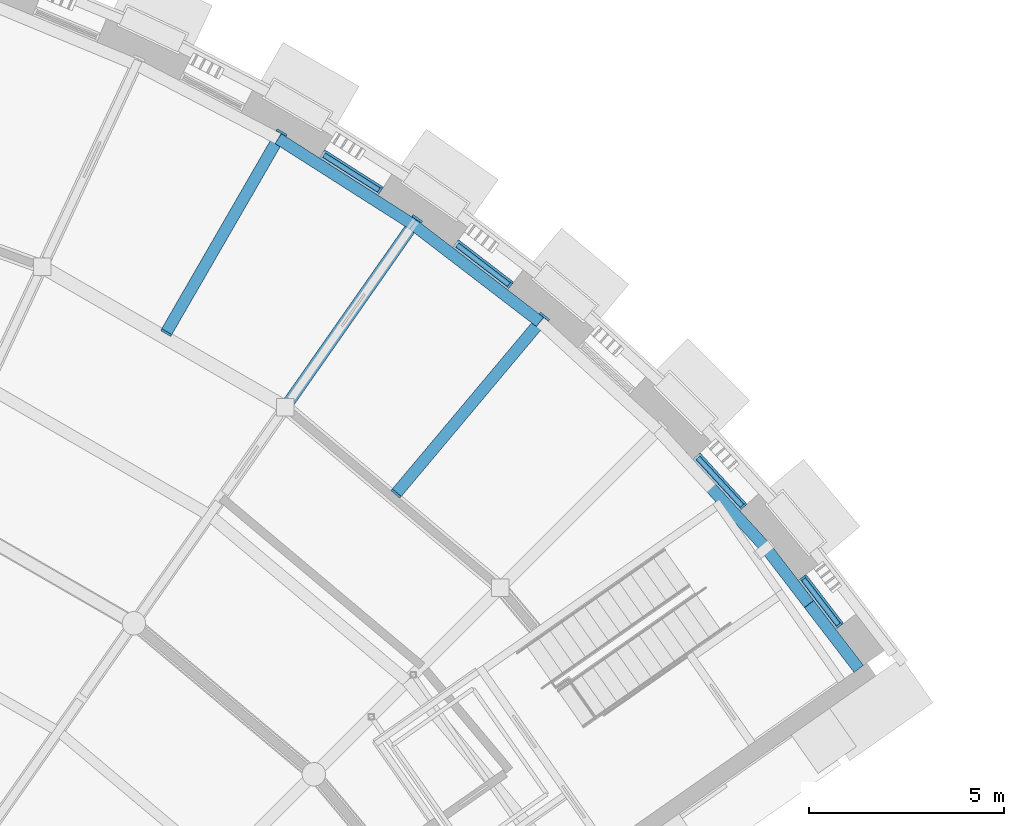
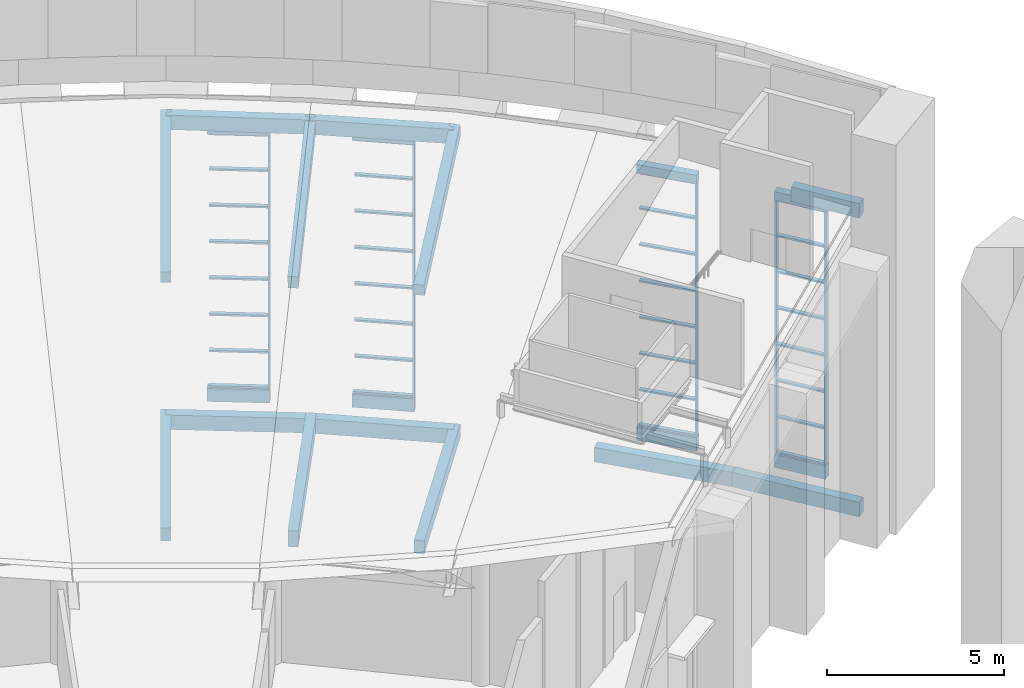
# One storey, part 30 of 82: 37 members, 21 beams, 4 elements without a shape of their own.
"""IFC4 building model written with IfcOpenShell, lengths in metres."""

from ifc_helpers import new_model, si_unit, direction, frame, origin, origin_2d, place, context, subcontext, project, spatial, rectangle, extrude, material, layer, layer_set, material_profile, profile_set, type_object, element, aggregate, save


model = new_model("IFC4")

# Units and contexts
model_context = context("Model", 3, precision=1e-05, world=origin(), true_north=direction((0.0, 1.0)))
body_context = subcontext(model_context, "Body", "Model", "MODEL_VIEW")
ifc_project = project(units=[si_unit("LENGTHUNIT", "METRE"), si_unit("AREAUNIT", "SQUARE_METRE"), si_unit("VOLUMEUNIT", "CUBIC_METRE"), si_unit("PLANEANGLEUNIT", "RADIAN"), si_unit("MASSUNIT", "GRAM", prefix="KILO")], contexts=[model_context])

# Site, building, storey
site_placement = place(None, origin())
site = spatial("IfcSite", under=ifc_project, at=site_placement, CompositionType="ELEMENT")
building_placement = place(site_placement, origin())
building = spatial("IfcBuilding", under=site, at=building_placement, Name="Volute Hill Aquarium", CompositionType="ELEMENT")
storey_placement = place(building_placement, frame((0.0, 0.0, 13.800048828125)))
storey = spatial("IfcBuildingStorey", under=building, at=storey_placement, Name="L04", CompositionType="ELEMENT", Elevation=13.800048828125)

# Beam
ifc_material_1 = material(Name="Concrete C35/45", Category="concrete")
ifc_material_profile_1 = material_profile(ifc_material_1, rectangle(XDim=0.300048828125, YDim=0.550048828125, at=origin_2d()), Name="RC beam 300x550")
ifc_profile_set_1 = profile_set([ifc_material_profile_1], Name="Concrete C35/45")
beam_type_1 = type_object("IfcBeamType", Name="Beam 300x550 C35/45", PredefinedType="BEAM", material=ifc_profile_set_1)
beam_1_placement = place(storey_placement, frame((23.681396484375, 33.82080078125, -0.56494140625), z_axis=(0.573602080408, 0.819134087529, 0.0), x_axis=(-0.819134087529, 0.573602080408, 0.0)))
element("IfcBeam", 1, at=beam_1_placement, inside=storey, type_object=beam_type_1, Name="bm/S5/L04/rad2.8", PredefinedType="BEAM", context=body_context, shape_type="SweptSolid", body=[
    extrude(rectangle(XDim=0.300048828125, YDim=0.550048828125, at=origin_2d()), origin(), (0.0, 0.0, 1.0), 5.862548828125),
])

# Curtain wall, members
ifc_material_2 = material(Name="Aluminium", Category="aluminium")
ifc_layer_1 = layer(ifc_material_2, 0.25)
ifc_layer_set_1 = layer_set([ifc_layer_1], Name="Curtain wall niche S5 module 1585")
curtain_wall_type_1 = type_object("IfcCurtainWallType", Name="Curtain wall niche S5 module 1585", PredefinedType="NOTDEFINED", material=ifc_layer_set_1)
curtain_wall_1_placement = place(storey_placement, origin())
curtain_wall_1 = element("IfcCurtainWall", 2, at=curtain_wall_1_placement, inside=storey, type_object=curtain_wall_type_1, Name="Curtain wall CW S5 L04 1", PredefinedType="NOTDEFINED")
ifc_material_3 = material(Name="Aluminium", Category="aluminium")
ifc_material_profile_2 = material_profile(ifc_material_3, rectangle(XDim=0.159912109375, YDim=0.06005859375, at=origin_2d()), Name="Curtain wall mullion S5 60x160")
ifc_profile_set_2 = profile_set([ifc_material_profile_2], Name="Aluminium")
member_type_1 = type_object("IfcMemberType", Name="Curtain wall mullion S5 60x160", PredefinedType="MULLION", material=ifc_profile_set_2)
member_1_placement = place(storey_placement, frame((37.873046875, 28.225830078125, 0.449951171875), z_axis=(0.0, 0.0, 1.0), x_axis=(-0.793360616468, -0.608751946393, 0.0)))
member_1 = element("IfcMember", 3, at=member_1_placement, type_object=member_type_1, Name="CW mullion 1", PredefinedType="MULLION", context=body_context, shape_type="SweptSolid", body=[
    extrude(rectangle(XDim=0.159912109375, YDim=0.06005859375, at=origin_2d()), origin(), (0.0, 0.0, 1.0), 8.7783203125),
])
member_2_placement = place(storey_placement, frame((36.944580078125, 29.43603515625, 0.449951171875), z_axis=(0.0, 0.0, 1.0), x_axis=(-0.793360616468, -0.608751946393, 0.0)))
member_2 = element("IfcMember", 4, at=member_2_placement, type_object=member_type_1, Name="CW mullion 2", PredefinedType="MULLION", context=body_context, shape_type="SweptSolid", body=[
    extrude(rectangle(XDim=0.159912109375, YDim=0.06005859375, at=origin_2d()), origin(), (0.0, 0.0, 1.0), 8.7783203125),
])

# Curtain wall, member
ifc_material_4 = material(Name="Aluminium", Category="aluminium")
ifc_layer_2 = layer(ifc_material_4, 0.25)
ifc_layer_set_2 = layer_set([ifc_layer_2], Name="Curtain wall niche S5 module 1786")
curtain_wall_type_2 = type_object("IfcCurtainWallType", Name="Curtain wall niche S5 module 1786", PredefinedType="NOTDEFINED", material=ifc_layer_set_2)
curtain_wall_2_placement = place(storey_placement, origin())
curtain_wall_2 = element("IfcCurtainWall", 5, at=curtain_wall_2_placement, inside=storey, type_object=curtain_wall_type_2, Name="Curtain wall CW S5 L04 2", PredefinedType="NOTDEFINED")
member_3_placement = place(storey_placement, frame((35.404296875, 31.271728515625, 0.449951171875), z_axis=(0.0, 0.0, 1.0), x_axis=(-0.737282446313, -0.675584631529, 0.0)))
member_3 = element("IfcMember", 6, at=member_3_placement, type_object=member_type_1, Name="CW mullion 1", PredefinedType="MULLION", context=body_context, shape_type="SweptSolid", body=[
    extrude(rectangle(XDim=0.159912109375, YDim=0.06005859375, at=origin_2d()), origin(), (0.0, 0.0, 1.0), 8.77587890625),
])

curtain_wall_3_placement = place(storey_placement, origin())
curtain_wall_3 = element("IfcCurtainWall", 7, at=curtain_wall_3_placement, inside=storey, type_object=curtain_wall_type_2, Name="Curtain wall CW S5 L04 4", PredefinedType="NOTDEFINED")
member_4_placement = place(storey_placement, frame((29.43603515625, 36.944580078125, 0.449951171875), z_axis=(0.0, 0.0, 1.0), x_axis=(-0.608754932261, -0.793358325379, 0.0)))
member_4 = element("IfcMember", 8, at=member_4_placement, type_object=member_type_1, Name="CW mullion 1", PredefinedType="MULLION", context=body_context, shape_type="SweptSolid", body=[
    extrude(rectangle(XDim=0.159912109375, YDim=0.06005859375, at=origin_2d()), origin(), (0.0, 0.0, 1.0), 8.77587890625),
])

curtain_wall_4_placement = place(storey_placement, origin())
curtain_wall_4 = element("IfcCurtainWall", 9, at=curtain_wall_4_placement, inside=storey, type_object=curtain_wall_type_2, Name="Curtain wall CW S5 L04 5", PredefinedType="NOTDEFINED")
member_5_placement = place(storey_placement, frame((26.10400390625, 39.36962890625, 0.449951171875), z_axis=(0.0, 0.0, 1.0), x_axis=(-0.537309538629, -0.843385119444, 0.0)))
member_5 = element("IfcMember", 10, at=member_5_placement, type_object=member_type_1, Name="CW mullion 1", PredefinedType="MULLION", context=body_context, shape_type="SweptSolid", body=[
    extrude(rectangle(XDim=0.159912109375, YDim=0.06005859375, at=origin_2d()), origin(), (0.0, 0.0, 1.0), 8.77587890625),
])

# Member
ifc_material_5 = material(Name="Aluminium", Category="aluminium")
ifc_material_profile_3 = material_profile(ifc_material_5, rectangle(XDim=0.1298828125, YDim=0.06005859375, at=origin_2d()), Name="Curtain wall transom S5 60x130")
ifc_profile_set_3 = profile_set([ifc_material_profile_3], Name="Aluminium")
member_type_2 = type_object("IfcMemberType", Name="Curtain wall transom S5 60x130", PredefinedType="USERDEFINED", material=ifc_profile_set_3)
member_6_placement = place(storey_placement, frame((37.85498046875, 28.249755859375, 0.47998046875), z_axis=(-0.608760263302, 0.793354234768, 0.0), x_axis=(-0.793354234768, -0.608760263302, 0.0)))
member_6 = element("IfcMember", 11, at=member_6_placement, type_object=member_type_2, Name="CW transom 1.1", ObjectType="TRANSOM", PredefinedType="USERDEFINED", context=body_context, shape_type="SweptSolid", body=[
    extrude(rectangle(XDim=0.1298828125, YDim=0.06005859375, at=origin_2d()), origin(), (0.0, 0.0, 1.0), 1.46533203125),
])

member_7_placement = place(storey_placement, frame((37.85498046875, 28.249755859375, 1.7041015625), z_axis=(-0.608760263302, 0.793354234768, 0.0), x_axis=(-0.793354234768, -0.608760263302, 0.0)))
member_7 = element("IfcMember", 12, at=member_7_placement, type_object=member_type_2, Name="CW transom 1.2", ObjectType="TRANSOM", PredefinedType="USERDEFINED", context=body_context, shape_type="SweptSolid", body=[
    extrude(rectangle(XDim=0.1298828125, YDim=0.06005859375, at=origin_2d()), origin(), (0.0, 0.0, 1.0), 1.46533203125),
])

member_8_placement = place(storey_placement, frame((37.85498046875, 28.249755859375, 2.9580078125), z_axis=(-0.608760263302, 0.793354234768, 0.0), x_axis=(-0.793354234768, -0.608760263302, 0.0)))
member_8 = element("IfcMember", 13, at=member_8_placement, type_object=member_type_2, Name="CW transom 1.3", ObjectType="TRANSOM", PredefinedType="USERDEFINED", context=body_context, shape_type="SweptSolid", body=[
    extrude(rectangle(XDim=0.1298828125, YDim=0.06005859375, at=origin_2d()), origin(), (0.0, 0.0, 1.0), 1.46533203125),
])

member_9_placement = place(storey_placement, frame((37.85498046875, 28.249755859375, 4.212158203125), z_axis=(-0.608760263302, 0.793354234768, 0.0), x_axis=(-0.793354234768, -0.608760263302, 0.0)))
member_9 = element("IfcMember", 14, at=member_9_placement, type_object=member_type_2, Name="CW transom 1.4", ObjectType="TRANSOM", PredefinedType="USERDEFINED", context=body_context, shape_type="SweptSolid", body=[
    extrude(rectangle(XDim=0.1298828125, YDim=0.06005859375, at=origin_2d()), origin(), (0.0, 0.0, 1.0), 1.46533203125),
])

member_10_placement = place(storey_placement, frame((37.85498046875, 28.249755859375, 5.466064453125), z_axis=(-0.608760263302, 0.793354234768, 0.0), x_axis=(-0.793354234768, -0.608760263302, 0.0)))
member_10 = element("IfcMember", 15, at=member_10_placement, type_object=member_type_2, Name="CW transom 1.5", ObjectType="TRANSOM", PredefinedType="USERDEFINED", context=body_context, shape_type="SweptSolid", body=[
    extrude(rectangle(XDim=0.1298828125, YDim=0.06005859375, at=origin_2d()), origin(), (0.0, 0.0, 1.0), 1.46533203125),
])

member_11_placement = place(storey_placement, frame((37.85498046875, 28.249755859375, 6.72021484375), z_axis=(-0.608760263302, 0.793354234768, 0.0), x_axis=(-0.793354234768, -0.608760263302, 0.0)))
member_11 = element("IfcMember", 16, at=member_11_placement, type_object=member_type_2, Name="CW transom 1.6", ObjectType="TRANSOM", PredefinedType="USERDEFINED", context=body_context, shape_type="SweptSolid", body=[
    extrude(rectangle(XDim=0.1298828125, YDim=0.06005859375, at=origin_2d()), origin(), (0.0, 0.0, 1.0), 1.46533203125),
])

member_12_placement = place(storey_placement, frame((37.85498046875, 28.249755859375, 7.97412109375), z_axis=(-0.608760263302, 0.793354234768, 0.0), x_axis=(-0.793354234768, -0.608760263302, 0.0)))
member_12 = element("IfcMember", 17, at=member_12_placement, type_object=member_type_2, Name="CW transom 1.7", ObjectType="TRANSOM", PredefinedType="USERDEFINED", context=body_context, shape_type="SweptSolid", body=[
    extrude(rectangle(XDim=0.1298828125, YDim=0.06005859375, at=origin_2d()), origin(), (0.0, 0.0, 1.0), 1.46533203125),
])

member_13_placement = place(storey_placement, frame((37.85498046875, 28.249755859375, 9.1982421875), z_axis=(-0.608760263302, 0.793354234768, 0.0), x_axis=(-0.793354234768, -0.608760263302, 0.0)))
member_13 = element("IfcMember", 18, at=member_13_placement, type_object=member_type_2, Name="CW transom 1.8", ObjectType="TRANSOM", PredefinedType="USERDEFINED", context=body_context, shape_type="SweptSolid", body=[
    extrude(rectangle(XDim=0.1298828125, YDim=0.06005859375, at=origin_2d()), origin(), (0.0, 0.0, 1.0), 1.46533203125),
])

aggregate(curtain_wall_1, [member_1, member_2, member_6, member_7, member_8, member_9, member_10, member_11, member_12, member_13])

member_14_placement = place(storey_placement, frame((35.384033203125, 31.2939453125, 0.47998046875), z_axis=(-0.675578590257, 0.73728798199, 0.0), x_axis=(-0.73728798199, -0.675578590257, 0.0)))
member_14 = element("IfcMember", 19, at=member_14_placement, type_object=member_type_2, Name="CW transom 1.1", ObjectType="TRANSOM", PredefinedType="USERDEFINED", context=body_context, shape_type="SweptSolid", body=[
    extrude(rectangle(XDim=0.1298828125, YDim=0.06005859375, at=origin_2d()), origin(), (0.0, 0.0, 1.0), 1.66552734375),
])

member_15_placement = place(storey_placement, frame((35.384033203125, 31.2939453125, 1.70361328125), z_axis=(-0.675578590257, 0.73728798199, 0.0), x_axis=(-0.73728798199, -0.675578590257, 0.0)))
member_15 = element("IfcMember", 20, at=member_15_placement, type_object=member_type_2, Name="CW transom 1.2", ObjectType="TRANSOM", PredefinedType="USERDEFINED", context=body_context, shape_type="SweptSolid", body=[
    extrude(rectangle(XDim=0.1298828125, YDim=0.06005859375, at=origin_2d()), origin(), (0.0, 0.0, 1.0), 1.66552734375),
])

member_16_placement = place(storey_placement, frame((35.384033203125, 31.2939453125, 2.957275390625), z_axis=(-0.675578590257, 0.73728798199, 0.0), x_axis=(-0.73728798199, -0.675578590257, 0.0)))
member_16 = element("IfcMember", 21, at=member_16_placement, type_object=member_type_2, Name="CW transom 1.3", ObjectType="TRANSOM", PredefinedType="USERDEFINED", context=body_context, shape_type="SweptSolid", body=[
    extrude(rectangle(XDim=0.1298828125, YDim=0.06005859375, at=origin_2d()), origin(), (0.0, 0.0, 1.0), 1.66552734375),
])

member_17_placement = place(storey_placement, frame((35.384033203125, 31.2939453125, 4.2109375), z_axis=(-0.675578590257, 0.73728798199, 0.0), x_axis=(-0.73728798199, -0.675578590257, 0.0)))
member_17 = element("IfcMember", 22, at=member_17_placement, type_object=member_type_2, Name="CW transom 1.4", ObjectType="TRANSOM", PredefinedType="USERDEFINED", context=body_context, shape_type="SweptSolid", body=[
    extrude(rectangle(XDim=0.1298828125, YDim=0.06005859375, at=origin_2d()), origin(), (0.0, 0.0, 1.0), 1.66552734375),
])

member_18_placement = place(storey_placement, frame((35.384033203125, 31.2939453125, 5.46484375), z_axis=(-0.675578590257, 0.73728798199, 0.0), x_axis=(-0.73728798199, -0.675578590257, 0.0)))
member_18 = element("IfcMember", 23, at=member_18_placement, type_object=member_type_2, Name="CW transom 1.5", ObjectType="TRANSOM", PredefinedType="USERDEFINED", context=body_context, shape_type="SweptSolid", body=[
    extrude(rectangle(XDim=0.1298828125, YDim=0.06005859375, at=origin_2d()), origin(), (0.0, 0.0, 1.0), 1.66552734375),
])

member_19_placement = place(storey_placement, frame((35.384033203125, 31.2939453125, 6.718505859375), z_axis=(-0.675578590257, 0.73728798199, 0.0), x_axis=(-0.73728798199, -0.675578590257, 0.0)))
member_19 = element("IfcMember", 24, at=member_19_placement, type_object=member_type_2, Name="CW transom 1.6", ObjectType="TRANSOM", PredefinedType="USERDEFINED", context=body_context, shape_type="SweptSolid", body=[
    extrude(rectangle(XDim=0.1298828125, YDim=0.06005859375, at=origin_2d()), origin(), (0.0, 0.0, 1.0), 1.66552734375),
])

member_20_placement = place(storey_placement, frame((35.384033203125, 31.2939453125, 7.97216796875), z_axis=(-0.675578590257, 0.73728798199, 0.0), x_axis=(-0.73728798199, -0.675578590257, 0.0)))
member_20 = element("IfcMember", 25, at=member_20_placement, type_object=member_type_2, Name="CW transom 1.7", ObjectType="TRANSOM", PredefinedType="USERDEFINED", context=body_context, shape_type="SweptSolid", body=[
    extrude(rectangle(XDim=0.1298828125, YDim=0.06005859375, at=origin_2d()), origin(), (0.0, 0.0, 1.0), 1.66552734375),
])

member_21_placement = place(storey_placement, frame((35.384033203125, 31.2939453125, 9.19580078125), z_axis=(-0.675578590257, 0.73728798199, 0.0), x_axis=(-0.73728798199, -0.675578590257, 0.0)))
member_21 = element("IfcMember", 26, at=member_21_placement, type_object=member_type_2, Name="CW transom 1.8", ObjectType="TRANSOM", PredefinedType="USERDEFINED", context=body_context, shape_type="SweptSolid", body=[
    extrude(rectangle(XDim=0.1298828125, YDim=0.06005859375, at=origin_2d()), origin(), (0.0, 0.0, 1.0), 1.66552734375),
])

aggregate(curtain_wall_2, [member_3, member_14, member_15, member_16, member_17, member_18, member_19, member_20, member_21])

member_22_placement = place(storey_placement, frame((29.412353515625, 36.962890625, 0.47998046875), z_axis=(-0.793391634362, 0.608711519953, 0.0), x_axis=(-0.608711519953, -0.793391634362, 0.0)))
member_22 = element("IfcMember", 27, at=member_22_placement, type_object=member_type_2, Name="CW transom 1.1", ObjectType="TRANSOM", PredefinedType="USERDEFINED", context=body_context, shape_type="SweptSolid", body=[
    extrude(rectangle(XDim=0.1298828125, YDim=0.06005859375, at=origin_2d()), origin(), (0.0, 0.0, 1.0), 1.665771484375),
])

member_23_placement = place(storey_placement, frame((29.412353515625, 36.962890625, 1.70361328125), z_axis=(-0.793391634362, 0.608711519953, 0.0), x_axis=(-0.608711519953, -0.793391634362, 0.0)))
member_23 = element("IfcMember", 28, at=member_23_placement, type_object=member_type_2, Name="CW transom 1.2", ObjectType="TRANSOM", PredefinedType="USERDEFINED", context=body_context, shape_type="SweptSolid", body=[
    extrude(rectangle(XDim=0.1298828125, YDim=0.06005859375, at=origin_2d()), origin(), (0.0, 0.0, 1.0), 1.665771484375),
])

member_24_placement = place(storey_placement, frame((29.412353515625, 36.962890625, 2.957275390625), z_axis=(-0.793391634362, 0.608711519953, 0.0), x_axis=(-0.608711519953, -0.793391634362, 0.0)))
member_24 = element("IfcMember", 29, at=member_24_placement, type_object=member_type_2, Name="CW transom 1.3", ObjectType="TRANSOM", PredefinedType="USERDEFINED", context=body_context, shape_type="SweptSolid", body=[
    extrude(rectangle(XDim=0.1298828125, YDim=0.06005859375, at=origin_2d()), origin(), (0.0, 0.0, 1.0), 1.665771484375),
])

member_25_placement = place(storey_placement, frame((29.412353515625, 36.962890625, 4.2109375), z_axis=(-0.793391634362, 0.608711519953, 0.0), x_axis=(-0.608711519953, -0.793391634362, 0.0)))
member_25 = element("IfcMember", 30, at=member_25_placement, type_object=member_type_2, Name="CW transom 1.4", ObjectType="TRANSOM", PredefinedType="USERDEFINED", context=body_context, shape_type="SweptSolid", body=[
    extrude(rectangle(XDim=0.1298828125, YDim=0.06005859375, at=origin_2d()), origin(), (0.0, 0.0, 1.0), 1.665771484375),
])

member_26_placement = place(storey_placement, frame((29.412353515625, 36.962890625, 5.46484375), z_axis=(-0.793391634362, 0.608711519953, 0.0), x_axis=(-0.608711519953, -0.793391634362, 0.0)))
member_26 = element("IfcMember", 31, at=member_26_placement, type_object=member_type_2, Name="CW transom 1.5", ObjectType="TRANSOM", PredefinedType="USERDEFINED", context=body_context, shape_type="SweptSolid", body=[
    extrude(rectangle(XDim=0.1298828125, YDim=0.06005859375, at=origin_2d()), origin(), (0.0, 0.0, 1.0), 1.665771484375),
])

member_27_placement = place(storey_placement, frame((29.412353515625, 36.962890625, 6.718505859375), z_axis=(-0.793391634362, 0.608711519953, 0.0), x_axis=(-0.608711519953, -0.793391634362, 0.0)))
member_27 = element("IfcMember", 32, at=member_27_placement, type_object=member_type_2, Name="CW transom 1.6", ObjectType="TRANSOM", PredefinedType="USERDEFINED", context=body_context, shape_type="SweptSolid", body=[
    extrude(rectangle(XDim=0.1298828125, YDim=0.06005859375, at=origin_2d()), origin(), (0.0, 0.0, 1.0), 1.665771484375),
])

member_28_placement = place(storey_placement, frame((29.412353515625, 36.962890625, 7.97216796875), z_axis=(-0.793391634362, 0.608711519953, 0.0), x_axis=(-0.608711519953, -0.793391634362, 0.0)))
member_28 = element("IfcMember", 33, at=member_28_placement, type_object=member_type_2, Name="CW transom 1.7", ObjectType="TRANSOM", PredefinedType="USERDEFINED", context=body_context, shape_type="SweptSolid", body=[
    extrude(rectangle(XDim=0.1298828125, YDim=0.06005859375, at=origin_2d()), origin(), (0.0, 0.0, 1.0), 1.665771484375),
])

member_29_placement = place(storey_placement, frame((29.412353515625, 36.962890625, 9.19580078125), z_axis=(-0.793391634362, 0.608711519953, 0.0), x_axis=(-0.608711519953, -0.793391634362, 0.0)))
member_29 = element("IfcMember", 34, at=member_29_placement, type_object=member_type_2, Name="CW transom 1.8", ObjectType="TRANSOM", PredefinedType="USERDEFINED", context=body_context, shape_type="SweptSolid", body=[
    extrude(rectangle(XDim=0.1298828125, YDim=0.06005859375, at=origin_2d()), origin(), (0.0, 0.0, 1.0), 1.665771484375),
])

aggregate(curtain_wall_3, [member_4, member_22, member_23, member_24, member_25, member_26, member_27, member_28, member_29])

member_30_placement = place(storey_placement, frame((26.078857421875, 39.3857421875, 0.47998046875), z_axis=(-0.843438091361, 0.537226382488, 0.0), x_axis=(-0.537226382488, -0.843438091361, 0.0)))
member_30 = element("IfcMember", 35, at=member_30_placement, type_object=member_type_2, Name="CW transom 1.1", ObjectType="TRANSOM", PredefinedType="USERDEFINED", context=body_context, shape_type="SweptSolid", body=[
    extrude(rectangle(XDim=0.1298828125, YDim=0.06005859375, at=origin_2d()), origin(), (0.0, 0.0, 1.0), 1.66552734375),
])

member_31_placement = place(storey_placement, frame((26.078857421875, 39.3857421875, 1.70361328125), z_axis=(-0.843438091361, 0.537226382488, 0.0), x_axis=(-0.537226382488, -0.843438091361, 0.0)))
member_31 = element("IfcMember", 36, at=member_31_placement, type_object=member_type_2, Name="CW transom 1.2", ObjectType="TRANSOM", PredefinedType="USERDEFINED", context=body_context, shape_type="SweptSolid", body=[
    extrude(rectangle(XDim=0.1298828125, YDim=0.06005859375, at=origin_2d()), origin(), (0.0, 0.0, 1.0), 1.66552734375),
])

member_32_placement = place(storey_placement, frame((26.078857421875, 39.3857421875, 2.957275390625), z_axis=(-0.843438091361, 0.537226382488, 0.0), x_axis=(-0.537226382488, -0.843438091361, 0.0)))
member_32 = element("IfcMember", 37, at=member_32_placement, type_object=member_type_2, Name="CW transom 1.3", ObjectType="TRANSOM", PredefinedType="USERDEFINED", context=body_context, shape_type="SweptSolid", body=[
    extrude(rectangle(XDim=0.1298828125, YDim=0.06005859375, at=origin_2d()), origin(), (0.0, 0.0, 1.0), 1.66552734375),
])

member_33_placement = place(storey_placement, frame((26.078857421875, 39.3857421875, 4.2109375), z_axis=(-0.843438091361, 0.537226382488, 0.0), x_axis=(-0.537226382488, -0.843438091361, 0.0)))
member_33 = element("IfcMember", 38, at=member_33_placement, type_object=member_type_2, Name="CW transom 1.4", ObjectType="TRANSOM", PredefinedType="USERDEFINED", context=body_context, shape_type="SweptSolid", body=[
    extrude(rectangle(XDim=0.1298828125, YDim=0.06005859375, at=origin_2d()), origin(), (0.0, 0.0, 1.0), 1.66552734375),
])

member_34_placement = place(storey_placement, frame((26.078857421875, 39.3857421875, 5.46484375), z_axis=(-0.843438091361, 0.537226382488, 0.0), x_axis=(-0.537226382488, -0.843438091361, 0.0)))
member_34 = element("IfcMember", 39, at=member_34_placement, type_object=member_type_2, Name="CW transom 1.5", ObjectType="TRANSOM", PredefinedType="USERDEFINED", context=body_context, shape_type="SweptSolid", body=[
    extrude(rectangle(XDim=0.1298828125, YDim=0.06005859375, at=origin_2d()), origin(), (0.0, 0.0, 1.0), 1.66552734375),
])

member_35_placement = place(storey_placement, frame((26.078857421875, 39.3857421875, 6.718505859375), z_axis=(-0.843438091361, 0.537226382488, 0.0), x_axis=(-0.537226382488, -0.843438091361, 0.0)))
member_35 = element("IfcMember", 40, at=member_35_placement, type_object=member_type_2, Name="CW transom 1.6", ObjectType="TRANSOM", PredefinedType="USERDEFINED", context=body_context, shape_type="SweptSolid", body=[
    extrude(rectangle(XDim=0.1298828125, YDim=0.06005859375, at=origin_2d()), origin(), (0.0, 0.0, 1.0), 1.66552734375),
])

member_36_placement = place(storey_placement, frame((26.078857421875, 39.3857421875, 7.97216796875), z_axis=(-0.843438091361, 0.537226382488, 0.0), x_axis=(-0.537226382488, -0.843438091361, 0.0)))
member_36 = element("IfcMember", 41, at=member_36_placement, type_object=member_type_2, Name="CW transom 1.7", ObjectType="TRANSOM", PredefinedType="USERDEFINED", context=body_context, shape_type="SweptSolid", body=[
    extrude(rectangle(XDim=0.1298828125, YDim=0.06005859375, at=origin_2d()), origin(), (0.0, 0.0, 1.0), 1.66552734375),
])

member_37_placement = place(storey_placement, frame((26.078857421875, 39.3857421875, 9.19580078125), z_axis=(-0.843438091361, 0.537226382488, 0.0), x_axis=(-0.537226382488, -0.843438091361, 0.0)))
member_37 = element("IfcMember", 42, at=member_37_placement, type_object=member_type_2, Name="CW transom 1.8", ObjectType="TRANSOM", PredefinedType="USERDEFINED", context=body_context, shape_type="SweptSolid", body=[
    extrude(rectangle(XDim=0.1298828125, YDim=0.06005859375, at=origin_2d()), origin(), (0.0, 0.0, 1.0), 1.66552734375),
])

aggregate(curtain_wall_4, [member_5, member_30, member_31, member_32, member_33, member_34, member_35, member_36, member_37])

# Beams
ifc_material_6 = material(Name="Concrete C35/45", Category="concrete")
ifc_material_profile_4 = material_profile(ifc_material_6, rectangle(XDim=0.300048828125, YDim=0.5, at=origin_2d()), Name="RC edge beam 300x500")
ifc_profile_set_4 = profile_set([ifc_material_profile_4], Name="Concrete C35/45")
beam_type_2 = type_object("IfcBeamType", Name="Edge beam 300x500 C35/45", PredefinedType="BEAM", material=ifc_profile_set_4)
beam_2_placement = place(storey_placement, frame((38.378173828125, 27.11669921875, -0.5400390625), z_axis=(-0.608757400599, 0.793356431382, 0.0), x_axis=(-0.793356431382, -0.608757400599, 0.0)))
element("IfcBeam", 43, at=beam_2_placement, inside=storey, type_object=beam_type_2, Name="bm/S5/L04/edgeO.42", PredefinedType="BEAM", context=body_context, shape_type="SweptSolid", body=[
    extrude(rectangle(XDim=0.300048828125, YDim=0.5, at=origin_2d()), origin(), (0.0, 0.0, 1.0), 3.900146484375),
])
beam_3_placement = place(storey_placement, frame((36.00390625, 30.2109375, -0.5400390625), z_axis=(-0.675589799899, 0.737277710413, 0.0), x_axis=(-0.737277710413, -0.675589799899, 0.0)))
element("IfcBeam", 44, at=beam_3_placement, inside=storey, type_object=beam_type_2, Name="bm/S5/L04/edgeO.43", PredefinedType="BEAM", context=body_context, shape_type="SweptSolid", body=[
    extrude(rectangle(XDim=0.300048828125, YDim=0.5, at=origin_2d()), origin(), (0.0, 0.0, 1.0), 4.10009765625),
])
beam_4_placement = place(storey_placement, frame((30.2109375, 36.00390625, -0.5400390625), z_axis=(-0.793349451978, 0.608766496324, 0.0), x_axis=(-0.608766496324, -0.793349451978, 0.0)))
element("IfcBeam", 45, at=beam_4_placement, inside=storey, type_object=beam_type_2, Name="bm/S5/L04/edgeO.45", PredefinedType="BEAM", context=body_context, shape_type="SweptSolid", body=[
    extrude(rectangle(XDim=0.300048828125, YDim=0.5, at=origin_2d()), origin(), (0.0, 0.0, 1.0), 4.100341796875),
])
beam_5_placement = place(storey_placement, frame((26.9580078125, 38.5, -0.5400390625), z_axis=(-0.843376960623, 0.537322344864, 0.0), x_axis=(-0.537322344864, -0.843376960623, 0.0)))
element("IfcBeam", 46, at=beam_5_placement, inside=storey, type_object=beam_type_2, Name="bm/S5/L04/edgeO.46", PredefinedType="BEAM", context=body_context, shape_type="SweptSolid", body=[
    extrude(rectangle(XDim=0.300048828125, YDim=0.5, at=origin_2d()), origin(), (0.0, 0.0, 1.0), 4.10009765625),
])
beam_6_placement = place(storey_placement, frame((38.378173828125, 27.11669921875, 9.778076171875), z_axis=(-0.608677023426, 0.793337103498, 0.011336726435), x_axis=(-0.793388088797, -0.608716141198, 0.0)))
element("IfcBeam", 47, at=beam_6_placement, inside=storey, type_object=beam_type_2, Name="rb/S5/L04/edgeO.42", PredefinedType="BEAM", context=body_context, shape_type="SweptSolid", body=[
    extrude(rectangle(XDim=0.300048828125, YDim=0.5, at=origin_2d()), origin(), (0.0, 0.0, 1.0), 2.0888671875),
])
beam_7_placement = place(storey_placement, frame((30.2109375, 36.00390625, 9.822021484375), z_axis=(-0.793299220414, 0.60872795178, -0.011252893475), x_axis=(-0.608766496324, -0.793349451978, 0.0)))
element("IfcBeam", 48, at=beam_7_placement, inside=storey, type_object=beam_type_2, Name="rb/S5/L04/edgeO.45", PredefinedType="BEAM", context=body_context, shape_type="SweptSolid", body=[
    extrude(rectangle(XDim=0.300048828125, YDim=0.5, at=origin_2d()), origin(), (0.0, 0.0, 1.0), 4.1005859375),
])
beam_8_placement = place(storey_placement, frame((26.9580078125, 38.5, 9.77587890625), z_axis=(-0.843323560073, 0.537288322939, 0.011253046657), x_axis=(-0.537322344864, -0.843376960623, 0.0)))
element("IfcBeam", 49, at=beam_8_placement, inside=storey, type_object=beam_type_2, Name="rb/S5/L04/edgeO.46", PredefinedType="BEAM", context=body_context, shape_type="SweptSolid", body=[
    extrude(rectangle(XDim=0.300048828125, YDim=0.5, at=origin_2d()), origin(), (0.0, 0.0, 1.0), 4.100341796875),
])
ifc_material_7 = material(Name="Concrete C35/45", Category="concrete")
ifc_material_profile_5 = material_profile(ifc_material_7, rectangle(XDim=0.300048828125, YDim=0.449951171875, at=origin_2d()), Name="RC joist 300x450")
ifc_profile_set_5 = profile_set([ifc_material_profile_5], Name="Concrete C35/45")
beam_type_3 = type_object("IfcBeamType", Name="Joist 300x450 C35/45", PredefinedType="BEAM", material=ifc_profile_set_5)
for number, where, z_axis, x_axis, name in (
    (50, (26.5390625, 31.628173828125, -0.51513671875), (0.642802306636, 0.766032110674, 0.0), (-0.766032110674, 0.642802306636, 0.0), "bm/S5/L04/rjst2"),
    (51, (20.643798828125, 35.756103515625, -0.51513671875), (0.500000035988, 0.866025383007, 0.0), (-0.866025383007, 0.500000035988, 0.0), "bm/S5/L04/rjst3"),
):
    element("IfcBeam", number, at=place(storey_placement, frame(where, z_axis=z_axis, x_axis=x_axis)), inside=storey, type_object=beam_type_3, Name=name, PredefinedType="BEAM", context=body_context, shape_type="SweptSolid", body=[
        extrude(rectangle(XDim=0.300048828125, YDim=0.449951171875, at=origin_2d()), origin(), (0.0, 0.0, 1.0), 5.8623046875),
    ])
for number, where, z_axis, x_axis, name in (
    (52, (26.5390625, 31.628173828125, 8.365478515625), (0.622408749787, 0.74172896298, 0.249890963553), (-0.766032110674, 0.642802306636, 0.0), "rb/S5/L04/rjst2"),
    (53, (20.643798828125, 35.756103515625, 8.365478515625), (0.484136963472, 0.838549738081, 0.249891451161), (-0.866025383007, 0.500000035988, 0.0), "rb/S5/L04/rjst3"),
):
    element("IfcBeam", number, at=place(storey_placement, frame(where, z_axis=z_axis, x_axis=x_axis)), inside=storey, type_object=beam_type_3, Name=name, PredefinedType="BEAM", context=body_context, shape_type="SweptSolid", body=[
        extrude(rectangle(XDim=0.300048828125, YDim=0.449951171875, at=origin_2d()), origin(), (0.0, 0.0, 1.0), 6.054443359375),
    ])
ifc_material_8 = material(Name="Concrete C35/45", Category="concrete")
ifc_material_profile_6 = material_profile(ifc_material_8, rectangle(XDim=0.25, YDim=0.300048828125, at=origin_2d()), Name="RC beam 250x300")
ifc_profile_set_6 = profile_set([ifc_material_profile_6], Name="Concrete C35/45")
beam_type_4 = type_object("IfcBeamType", Name="Niche head beam RC 250x300 C35/45", PredefinedType="BEAM", material=ifc_profile_set_6)
beam_9_placement = place(storey_placement, frame((37.891357421875, 28.2021484375, 9.378173828125), z_axis=(-0.608735390594, 0.793373319591, 0.0), x_axis=(-0.793373319591, -0.608735390594, 0.0)))
element("IfcBeam", 54, at=beam_9_placement, inside=storey, type_object=beam_type_4, Name="Niche head beam OWB S5 L04 1", PredefinedType="BEAM", context=body_context, shape_type="SweptSolid", body=[
    extrude(rectangle(XDim=0.25, YDim=0.300048828125, at=origin_2d()), origin(), (0.0, 0.0, 1.0), 1.58544921875),
])
beam_10_placement = place(storey_placement, frame((35.424560546875, 31.249755859375, 9.375732421875), z_axis=(-0.675600784767, 0.737267644497, 0.0), x_axis=(-0.737267644497, -0.675600784767, 0.0)))
element("IfcBeam", 55, at=beam_10_placement, inside=storey, type_object=beam_type_4, Name="Niche head beam OWB S5 L04 2", PredefinedType="BEAM", context=body_context, shape_type="SweptSolid", body=[
    extrude(rectangle(XDim=0.25, YDim=0.300048828125, at=origin_2d()), origin(), (0.0, 0.0, 1.0), 1.785400390625),
])
beam_11_placement = place(storey_placement, frame((29.4599609375, 36.92626953125, 9.375732421875), z_axis=(-0.793340036434, 0.608778766541, 0.0), x_axis=(-0.608778766541, -0.793340036434, 0.0)))
element("IfcBeam", 56, at=beam_11_placement, inside=storey, type_object=beam_type_4, Name="Niche head beam OWB S5 L04 4", PredefinedType="BEAM", context=body_context, shape_type="SweptSolid", body=[
    extrude(rectangle(XDim=0.25, YDim=0.300048828125, at=origin_2d()), origin(), (0.0, 0.0, 1.0), 1.785888671875),
])
beam_12_placement = place(storey_placement, frame((26.12939453125, 39.353515625, 9.375732421875), z_axis=(-0.843419289708, 0.537255899686, 0.0), x_axis=(-0.537255899686, -0.843419289708, 0.0)))
element("IfcBeam", 57, at=beam_12_placement, inside=storey, type_object=beam_type_4, Name="Niche head beam OWB S5 L04 5", PredefinedType="BEAM", context=body_context, shape_type="SweptSolid", body=[
    extrude(rectangle(XDim=0.25, YDim=0.300048828125, at=origin_2d()), origin(), (0.0, 0.0, 1.0), 1.785400390625),
])
ifc_material_9 = material(Name="Concrete C35/45", Category="concrete")
ifc_material_profile_7 = material_profile(ifc_material_9, rectangle(XDim=0.25, YDim=0.449951171875, at=origin_2d()), Name="RC beam 250x450")
ifc_profile_set_7 = profile_set([ifc_material_profile_7], Name="Concrete C35/45")
beam_type_5 = type_object("IfcBeamType", Name="Niche sill beam RC 250x450 C35/45", PredefinedType="BEAM", material=ifc_profile_set_7)
beam_13_placement = place(storey_placement, frame((37.891357421875, 28.2021484375, 0.224853515625), z_axis=(-0.608735390594, 0.793373319591, 0.0), x_axis=(-0.793373319591, -0.608735390594, 0.0)))
element("IfcBeam", 58, at=beam_13_placement, inside=storey, type_object=beam_type_5, Name="Niche sill beam OWB S5 L04 1", PredefinedType="BEAM", context=body_context, shape_type="SweptSolid", body=[
    extrude(rectangle(XDim=0.25, YDim=0.449951171875, at=origin_2d()), origin(), (0.0, 0.0, 1.0), 1.58544921875),
])
beam_14_placement = place(storey_placement, frame((35.424560546875, 31.249755859375, 0.224853515625), z_axis=(-0.675600784767, 0.737267644497, 0.0), x_axis=(-0.737267644497, -0.675600784767, 0.0)))
element("IfcBeam", 59, at=beam_14_placement, inside=storey, type_object=beam_type_5, Name="Niche sill beam OWB S5 L04 2", PredefinedType="BEAM", context=body_context, shape_type="SweptSolid", body=[
    extrude(rectangle(XDim=0.25, YDim=0.449951171875, at=origin_2d()), origin(), (0.0, 0.0, 1.0), 1.785400390625),
])
beam_15_placement = place(storey_placement, frame((29.4599609375, 36.92626953125, 0.224853515625), z_axis=(-0.793340036434, 0.608778766541, 0.0), x_axis=(-0.608778766541, -0.793340036434, 0.0)))
element("IfcBeam", 60, at=beam_15_placement, inside=storey, type_object=beam_type_5, Name="Niche sill beam OWB S5 L04 4", PredefinedType="BEAM", context=body_context, shape_type="SweptSolid", body=[
    extrude(rectangle(XDim=0.25, YDim=0.449951171875, at=origin_2d()), origin(), (0.0, 0.0, 1.0), 1.785888671875),
])
beam_16_placement = place(storey_placement, frame((26.12939453125, 39.353515625, 0.224853515625), z_axis=(-0.843419289708, 0.537255899686, 0.0), x_axis=(-0.537255899686, -0.843419289708, 0.0)))
element("IfcBeam", 61, at=beam_16_placement, inside=storey, type_object=beam_type_5, Name="Niche sill beam OWB S5 L04 5", PredefinedType="BEAM", context=body_context, shape_type="SweptSolid", body=[
    extrude(rectangle(XDim=0.25, YDim=0.449951171875, at=origin_2d()), origin(), (0.0, 0.0, 1.0), 1.785400390625),
])
ifc_material_10 = material(Name="Concrete C35/45", Category="concrete")
ifc_material_profile_8 = material_profile(ifc_material_10, rectangle(XDim=0.300048828125, YDim=0.5, at=origin_2d()), Name="RC rib 300x500")
ifc_profile_set_8 = profile_set([ifc_material_profile_8], Name="Concrete C35/45")
beam_type_6 = type_object("IfcBeamType", Name="Roof rib 300x500 C35/45", PredefinedType="BEAM", material=ifc_profile_set_8)
beam_17_placement = place(storey_placement, frame((23.681396484375, 33.82080078125, 8.299072265625), z_axis=(0.555534098478, 0.793332054383, 0.249010274721), x_axis=(-0.819134087529, 0.573602080408, 0.0)))
element("IfcBeam", 62, at=beam_17_placement, inside=storey, type_object=beam_type_6, Name="rb/S5/L04/rib2.8", PredefinedType="BEAM", context=body_context, shape_type="SweptSolid", body=[
    extrude(rectangle(XDim=0.300048828125, YDim=0.5, at=origin_2d()), origin(), (0.0, 0.0, 1.0), 6.05322265625),
])

save(model, "model.ifc")
